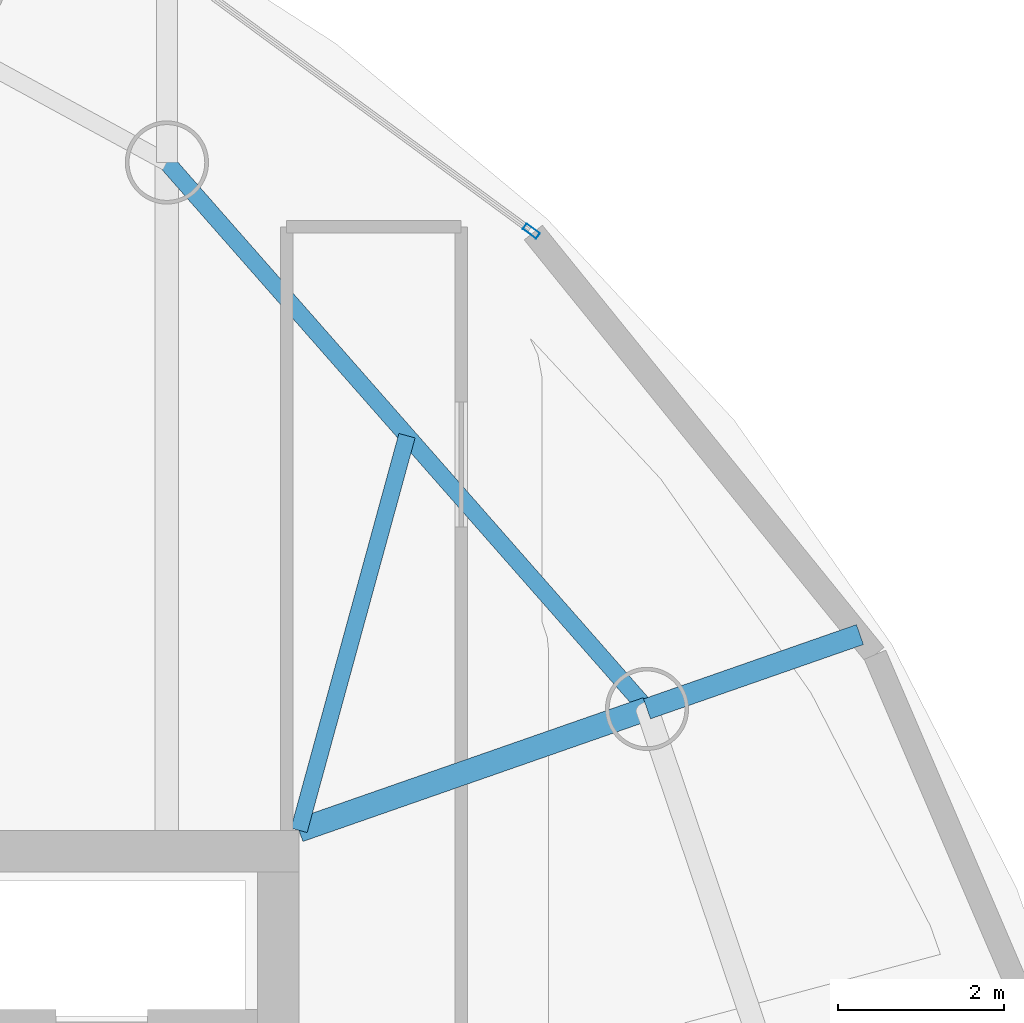
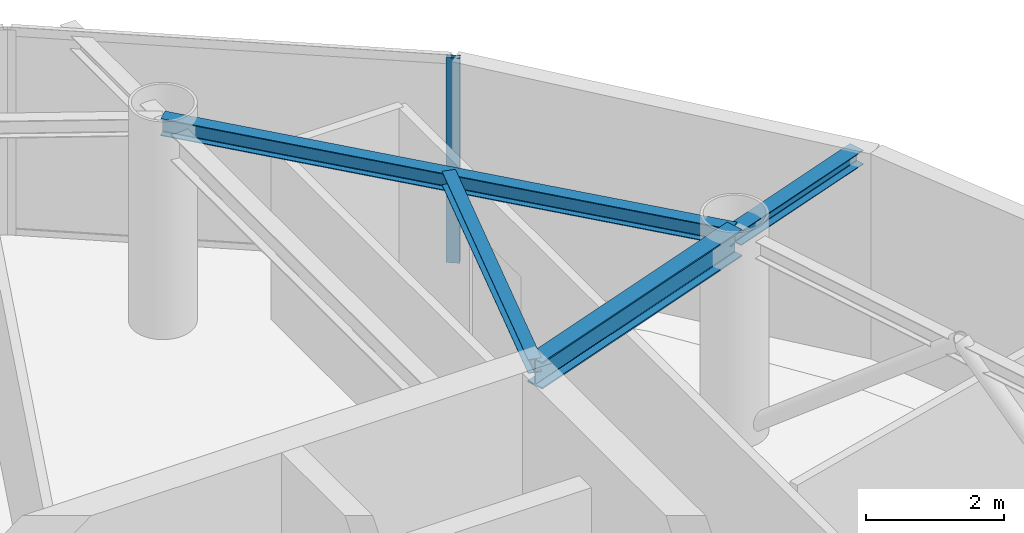
# One storey, part 13 of 20: 4 beams, 1 member, 1 element without a shape of its own.
"""IFC4 building model written with IfcOpenShell, lengths in metres."""

from ifc_helpers import new_model, si_unit, direction, frame, origin, origin_2d, place, context, subcontext, project, spatial, hollow_rectangle, i_section, extrude, material, layer, layer_set, material_profile, profile_set, type_object, element, aggregate, save


model = new_model("IFC4")

# Units and contexts
model_context = context("Model", 3, precision=1e-05, world=origin(), true_north=direction((0.0, 1.0)))
body_context = subcontext(model_context, "Body", "Model", "MODEL_VIEW")
ifc_project = project(units=[si_unit("LENGTHUNIT", "METRE"), si_unit("AREAUNIT", "SQUARE_METRE"), si_unit("VOLUMEUNIT", "CUBIC_METRE"), si_unit("PLANEANGLEUNIT", "RADIAN"), si_unit("MASSUNIT", "GRAM", prefix="KILO")], contexts=[model_context])

# Site, building, storey
site_placement = place(None, origin())
site = spatial("IfcSite", under=ifc_project, at=site_placement, CompositionType="ELEMENT")
building_placement = place(site_placement, origin())
building = spatial("IfcBuilding", under=site, at=building_placement, Name="Bramvorn Convention Spire", CompositionType="ELEMENT")
storey_placement = place(building_placement, frame((0.0, 0.0, 269.0)))
storey = spatial("IfcBuildingStorey", under=building, at=storey_placement, Name="L68", CompositionType="ELEMENT", Elevation=269.0)

# Beams
ifc_material_1 = material(Name="Steel CSA G40.21 Grade 350 (350W)", Category="steel")
ifc_material_profile_1 = material_profile(ifc_material_1, i_section(OverallWidth=0.201904296875, OverallDepth=0.2470703125, WebThickness=0.00732421875, FlangeThickness=0.010986328125, FilletRadius=0.011962890625, at=origin_2d()))
ifc_profile_set_1 = profile_set([ifc_material_profile_1], Name="Steel CSA G40.21 Grade 350 (350W) - W250X49")
beam_type_1 = type_object("IfcBeamType", Name="BM-W250X49", PredefinedType="JOIST", material=ifc_profile_set_1)
beam_1_placement = place(storey_placement, frame((49.25, 33.449951171875, 3.50146484375), z_axis=(0.26386506219, 0.96455960363, 0.0), x_axis=(-0.96455960363, 0.26386506219, 0.0)))
element("IfcBeam", 1, at=beam_1_placement, inside=storey, type_object=beam_type_1, Name="L68 composite floor joist 05", PredefinedType="JOIST", context=body_context, shape_type="SweptSolid", body=[
    extrude(i_section(OverallWidth=0.201904296875, OverallDepth=0.2470703125, WebThickness=0.00732421875, FlangeThickness=0.010986328125, FilletRadius=0.011962890625, at=origin_2d()), origin(), (0.0, 0.0, 1.0), 4.917724609375),
])
ifc_material_profile_2 = material_profile(ifc_material_1, i_section(OverallWidth=0.25390625, OverallDepth=0.2529296875, WebThickness=0.008544921875, FlangeThickness=0.01416015625, FilletRadius=0.011962890625, at=origin_2d()))
ifc_profile_set_2 = profile_set([ifc_material_profile_2], Name="Steel CSA G40.21 Grade 350 (350W) - W250X73")
beam_type_2 = type_object("IfcBeamType", Name="BM-W250X73", PredefinedType="BEAM", material=ifc_profile_set_2)
beam_2_placement = place(storey_placement, frame((53.4326171875, 34.909912109375, 3.45849609375), z_axis=(0.944130456875, 0.329571965436, 0.0), x_axis=(-0.329571965436, 0.944130456875, 0.0)))
element("IfcBeam", 2, at=beam_2_placement, inside=storey, type_object=beam_type_2, Name="L68 slab-edge cantilever tip beam MC05", PredefinedType="BEAM", context=body_context, shape_type="SweptSolid", body=[
    extrude(i_section(OverallWidth=0.25390625, OverallDepth=0.2529296875, WebThickness=0.008544921875, FlangeThickness=0.01416015625, FilletRadius=0.011962890625, at=origin_2d()), origin(), (0.0, 0.0, 1.0), 2.71044921875),
])
ifc_material_profile_3 = material_profile(ifc_material_1, i_section(OverallWidth=0.202880859375, OverallDepth=0.302978515625, WebThickness=0.007568359375, FlangeThickness=0.01318359375, FilletRadius=0.013916015625, at=origin_2d()))
ifc_profile_set_3 = profile_set([ifc_material_profile_3], Name="Steel CSA G40.21 Grade 350 (350W) - W310X60")
beam_type_3 = type_object("IfcBeamType", Name="BM-W310X60", PredefinedType="JOIST", material=ifc_profile_set_3)
beam_3_placement = place(storey_placement, frame((53.4326171875, 34.909912109375, 3.473388671875), z_axis=(-0.660073062339, 0.751201405999, 0.0), x_axis=(-0.751201405999, -0.660073062339, 0.0)))
element("IfcBeam", 3, at=beam_3_placement, inside=storey, type_object=beam_type_3, Name="L68 mega-column ring beam 05", PredefinedType="JOIST", context=body_context, shape_type="SweptSolid", body=[
    extrude(i_section(OverallWidth=0.202880859375, OverallDepth=0.302978515625, WebThickness=0.007568359375, FlangeThickness=0.01318359375, FilletRadius=0.013916015625, at=origin_2d()), origin(), (0.0, 0.0, 1.0), 8.741943359375),
])
ifc_material_profile_4 = material_profile(ifc_material_1, i_section(OverallWidth=0.283935546875, OverallDepth=0.47607421875, WebThickness=0.014892578125, FlangeThickness=0.02392578125, FilletRadius=0.01806640625, at=origin_2d()))
ifc_profile_set_4 = profile_set([ifc_material_profile_4], Name="Steel CSA G40.21 Grade 350 (350W) - W460X158")
beam_type_4 = type_object("IfcBeamType", Name="BM-W460X158", PredefinedType="SPANDREL", material=ifc_profile_set_4)
beam_4_placement = place(storey_placement, frame((49.25, 33.449951171875, 3.386962890625), z_axis=(0.944136391877, 0.329554962843, 0.0), x_axis=(-0.329554962843, 0.944136391877, 0.0)))
element("IfcBeam", 4, at=beam_4_placement, inside=storey, type_object=beam_type_4, Name="L68 radial floor girder MC05", PredefinedType="SPANDREL", context=body_context, shape_type="SweptSolid", body=[
    extrude(i_section(OverallWidth=0.283935546875, OverallDepth=0.47607421875, WebThickness=0.014892578125, FlangeThickness=0.02392578125, FilletRadius=0.01806640625, at=origin_2d()), origin(), (0.0, 0.0, 1.0), 4.43017578125),
])

# Curtain wall, member
ifc_material_2 = material(Name="Anodised Bronze Unitised Curtain Wall", Category="aluminium")
ifc_layer = layer(ifc_material_2, 0.179931640625)
ifc_layer_set = layer_set([ifc_layer], Name="Anodised Bronze Unitised Curtain Wall - CW-OFF-FRIT")
curtain_wall_type = type_object("IfcCurtainWallType", Name="CW-OFF-FRIT", PredefinedType="USERDEFINED", material=ifc_layer_set)
curtain_wall_placement = place(storey_placement, origin())
curtain_wall = element("IfcCurtainWall", 5, at=curtain_wall_placement, inside=storey, type_object=curtain_wall_type, Name="L68 fritted glass curtain wall 08", ObjectType="UNITISED CURTAIN WALL", PredefinedType="USERDEFINED")
ifc_material_3 = material(Name="Anodised Bronze Aluminium 6063-T6", Category="aluminium")
ifc_material_profile_5 = material_profile(ifc_material_3, hollow_rectangle(XDim=0.080078125, YDim=0.199951171875, WallThickness=0.00390625, InnerFilletRadius=0.0009765625, OuterFilletRadius=0.00390625, at=origin_2d()))
ifc_profile_set_5 = profile_set([ifc_material_profile_5], Name="Anodised Bronze Aluminium 6063-T6 - CWM80X200")
member_type = type_object("IfcMemberType", Name="CW-MUL-180", PredefinedType="MULLION", material=ifc_profile_set_5)
member_placement = place(storey_placement, frame((52.0419921875, 40.652099609375, 0.0), z_axis=(0.0, 0.0, 1.0), x_axis=(0.591903592512, 0.806008769909, 0.0)))
member = element("IfcMember", 6, at=member_placement, type_object=member_type, Name="CW3 mullion 2", PredefinedType="MULLION", context=body_context, shape_type="SweptSolid", body=[
    extrude(hollow_rectangle(XDim=0.080078125, YDim=0.199951171875, WallThickness=0.00390625, InnerFilletRadius=0.0009765625, OuterFilletRadius=0.00390625, at=origin_2d()), origin(), (0.0, 0.0, 1.0), 3.625),
])
aggregate(curtain_wall, [member])

save(model, "model.ifc")
